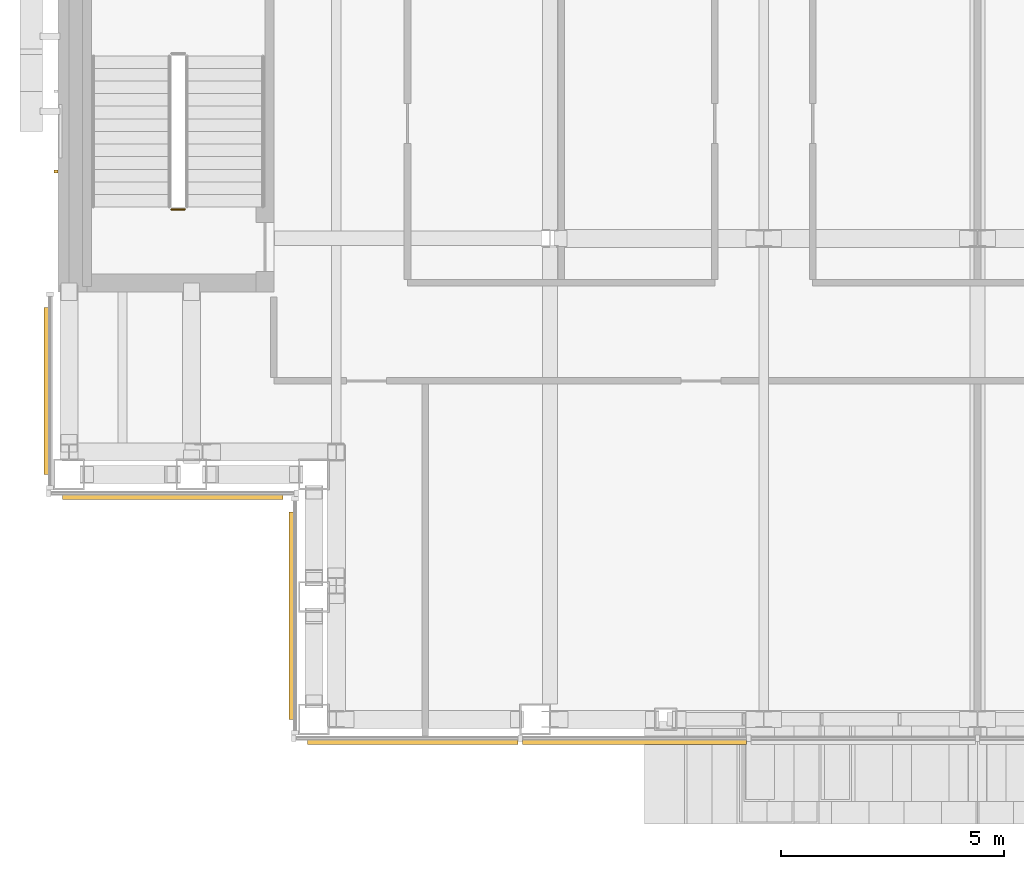
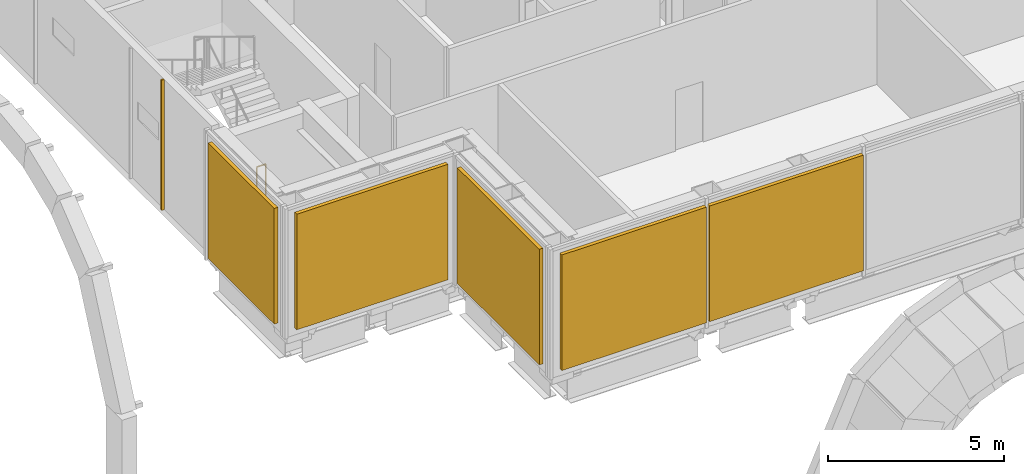
# One storey, part 16 of 26: 6 coverings, 1 railing.
"""IFC4 building model written with IfcOpenShell, lengths in metres."""

from ifc_helpers import new_model, si_unit, direction, frame, origin, origin_2d, place, context, subcontext, project, spatial, rectangle, circle, extrude, material, type_object, element, save


model = new_model("IFC4")

# Units and contexts
model_context = context("Model", 3, precision=1e-05, world=origin(), true_north=direction((0.0, 1.0)))
body_context = subcontext(model_context, "Body", "Model", "MODEL_VIEW")
ifc_project = project(units=[si_unit("LENGTHUNIT", "METRE"), si_unit("AREAUNIT", "SQUARE_METRE"), si_unit("VOLUMEUNIT", "CUBIC_METRE"), si_unit("PLANEANGLEUNIT", "RADIAN"), si_unit("MASSUNIT", "GRAM", prefix="KILO")], contexts=[model_context])

# Site, building, storey
site_placement = place(None, origin())
site = spatial("IfcSite", under=ifc_project, at=site_placement, CompositionType="ELEMENT")
building_placement = place(site_placement, origin())
building = spatial("IfcBuilding", under=site, at=building_placement, Name="Cobrizo Arcos Hotel Tower", CompositionType="ELEMENT")
storey_placement = place(building_placement, frame((0.0, 0.0, 236.5)))
storey = spatial("IfcBuildingStorey", under=building, at=storey_placement, Name="L62", CompositionType="ELEMENT", Elevation=236.5)

# Coverings
ifc_material_1 = material(Name="Aluminium 6063-T6 anodised bronze", Category="aluminium")
covering_type_1 = type_object("IfcCoveringType", Name="LV-1 plant louvre band", PredefinedType="CLADDING", material=ifc_material_1)
covering_1_placement = place(storey_placement, frame((-12.683349609375, -20.905029296875, 0.25), z_axis=(0.0, 0.0, 1.0), x_axis=(1.0, 0.0, 0.0)))
element("IfcCovering", 1, at=covering_1_placement, inside=storey, type_object=covering_type_1, Name="louvre band 1988", PredefinedType="CLADDING", context=body_context, shape_type="SweptSolid", body=[
    extrude(rectangle(XDim=4.7333984375, YDim=0.1201171875, at=origin_2d()), origin(), (0.0, 0.0, 1.0), 4.0),
])
covering_2_placement = place(storey_placement, frame((-7.699951171875, -20.905029296875, 0.25), z_axis=(0.0, 0.0, 1.0), x_axis=(1.0, 0.0, 0.0)))
element("IfcCovering", 2, at=covering_2_placement, inside=storey, type_object=covering_type_1, Name="louvre band 1989", PredefinedType="CLADDING", context=body_context, shape_type="SweptSolid", body=[
    extrude(rectangle(XDim=5.033447265625, YDim=0.1201171875, at=origin_2d()), origin(), (0.0, 0.0, 1.0), 4.0),
])
covering_3_placement = place(storey_placement, frame((-20.905029296875, -13.02490234375, 0.25), z_axis=(0.0, 0.0, 1.0), x_axis=(0.0, -1.0, 0.0)))
element("IfcCovering", 3, at=covering_3_placement, inside=storey, type_object=covering_type_1, Name="louvre band 2009", PredefinedType="CLADDING", context=body_context, shape_type="SweptSolid", body=[
    extrude(rectangle(XDim=3.75, YDim=0.1201171875, at=origin_2d()), origin(), (0.0, 0.0, 1.0), 4.0),
])
covering_4_placement = place(storey_placement, frame((-18.074951171875, -15.405029296875, 0.25), z_axis=(0.0, 0.0, 1.0), x_axis=(1.0, 0.0, 0.0)))
element("IfcCovering", 4, at=covering_4_placement, inside=storey, type_object=covering_type_1, Name="louvre band 2010", PredefinedType="CLADDING", context=body_context, shape_type="SweptSolid", body=[
    extrude(rectangle(XDim=4.949951171875, YDim=0.1201171875, at=origin_2d()), origin(), (0.0, 0.0, 1.0), 4.0),
])
covering_5_placement = place(storey_placement, frame((-15.405029296875, -18.074951171875, 0.25), z_axis=(0.0, 0.0, 1.0), x_axis=(0.0, -1.0, 0.0)))
element("IfcCovering", 5, at=covering_5_placement, inside=storey, type_object=covering_type_1, Name="louvre band 2011", PredefinedType="CLADDING", context=body_context, shape_type="SweptSolid", body=[
    extrude(rectangle(XDim=4.64990234375, YDim=0.1201171875, at=origin_2d()), origin(), (0.0, 0.0, 1.0), 4.0),
])
ifc_material_2 = material(Name="Aluminium 6063-T6 anodised pale", Category="aluminium")
covering_type_2 = type_object("IfcCoveringType", Name="RS-1 rainscreen rib 60x90", PredefinedType="CLADDING", material=ifc_material_2)
covering_6_placement = place(storey_placement, frame((-20.695068359375, -8.10009765625, 0.0), z_axis=(0.0, 0.0, 1.0), x_axis=(0.0, -1.0, 0.0)))
element("IfcCovering", 6, at=covering_6_placement, inside=storey, type_object=covering_type_2, Name="Rainscreen rib 92", PredefinedType="CLADDING", context=body_context, shape_type="SweptSolid", body=[
    extrude(rectangle(XDim=0.06005859375, YDim=0.090087890625, at=origin_2d()), origin(), (0.0, 0.0, 1.0), 4.5),
])

# Railing
ifc_material_3 = material(Name="Stainless steel railing", Category="steel")
railing_type = type_object("IfcRailingType", Name="Stair guard 1100", PredefinedType="GUARDRAIL", material=ifc_material_3)
railing_placement = place(storey_placement, frame((-17.800048828125, -8.949951171875, 0.0)))
element("IfcRailing", 7, at=railing_placement, inside=storey, type_object=railing_type, Name="L62 ST-W stair guard 4", PredefinedType="GUARDRAIL", context=body_context, shape_type="SweptSolid", body=[
    extrude(circle(Radius=0.02392578125, at=origin_2d()), frame((0.0, 0.0, 1.076171875), z_axis=(-1.0, 0.0, 0.0), x_axis=(0.0, -1.0, 0.0)), (0.0, 0.0, 1.0), 0.300048828125),
    extrude(circle(Radius=0.02099609375, at=origin_2d()), origin(), (0.0, 0.0, 1.0), 1.052001953125),
    extrude(circle(Radius=0.02099609375, at=origin_2d()), frame((-0.300048828125, 0.0, 0.0)), (0.0, 0.0, 1.0), 1.052001953125),
])

save(model, "model.ifc")
